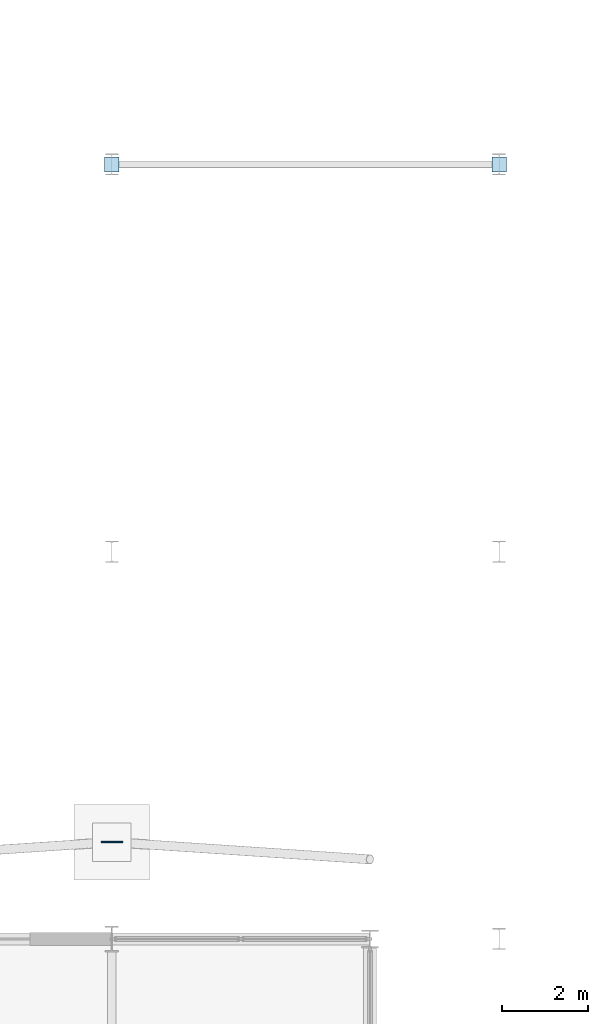
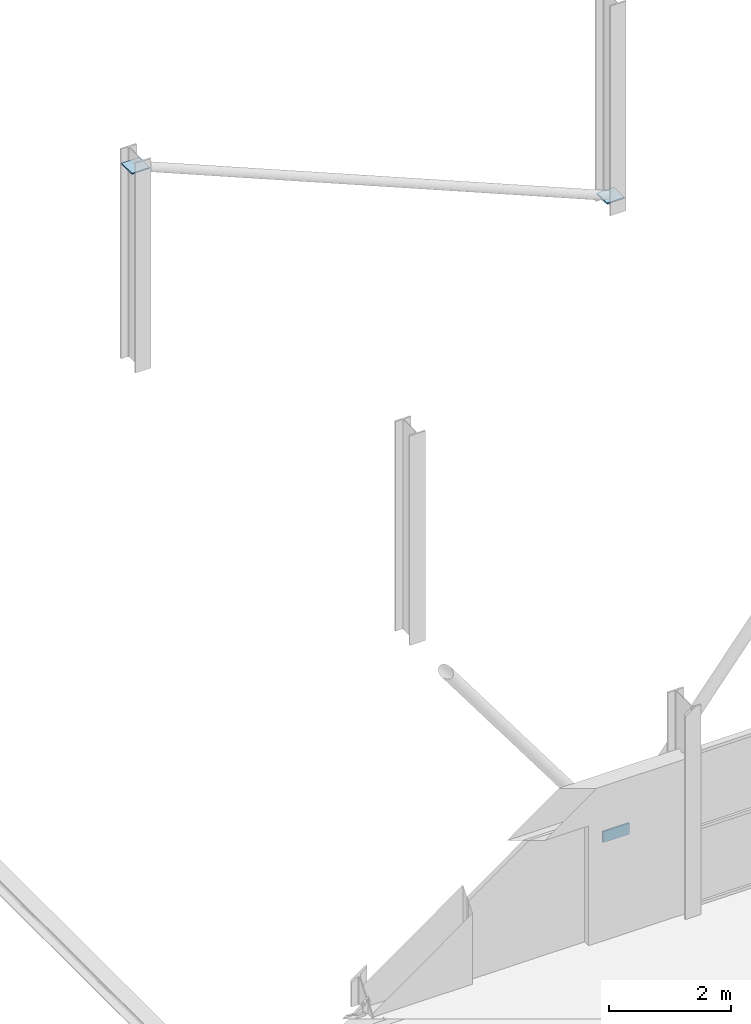
# One storey, part 111 of 140: 3 plates.
"""IFC4 building model written with IfcOpenShell, lengths in metres."""

from ifc_helpers import new_model, si_unit, direction, frame, origin, origin_2d, place, context, subcontext, project, spatial, rectangle, extrude, material, layer, layer_set, type_object, element, save


model = new_model("IFC4")

# Units and contexts
model_context = context("Model", 3, precision=1e-05, world=origin(), true_north=direction((0.0, 1.0)))
body_context = subcontext(model_context, "Body", "Model", "MODEL_VIEW")
ifc_project = project(units=[si_unit("LENGTHUNIT", "METRE"), si_unit("AREAUNIT", "SQUARE_METRE"), si_unit("VOLUMEUNIT", "CUBIC_METRE"), si_unit("PLANEANGLEUNIT", "RADIAN"), si_unit("MASSUNIT", "GRAM", prefix="KILO")], contexts=[model_context])

# Site, building, storey
site_placement = place(None, origin())
site = spatial("IfcSite", under=ifc_project, at=site_placement, CompositionType="ELEMENT")
building_placement = place(site_placement, origin())
building = spatial("IfcBuilding", under=site, at=building_placement, Name="Deido Ridge Mobility Hub", CompositionType="ELEMENT")
storey_placement = place(building_placement, origin())
storey = spatial("IfcBuildingStorey", under=building, at=storey_placement, Name="L00", CompositionType="ELEMENT", Elevation=0.0)

# Plates
ifc_material = material(Name="Steel S355J2 EN 10025-2", Category="steel")
ifc_layer_1 = layer(ifc_material, 0.02197265625, Name="Steel S355J2 EN 10025-2")
ifc_layer_set_1 = layer_set([ifc_layer_1], Name="Steel S355J2 EN 10025-2")
plate_type_1 = type_object("IfcPlateType", Name="PLT-CAP-22", PredefinedType="USERDEFINED", material=ifc_layer_set_1)
for number, where, z_axis, x_axis, name in (
    (1, (63.0, 54.0, 0.18896484375), (0.0, 0.0, 1.0), (1.0, 0.0, 0.0), "Diagrid node cap plate EC2 166"),
    (2, (54.0, 54.0, 3.93896484375), (0.0, 0.0, 1.0), (1.0, 0.0, 0.0), "Diagrid node cap plate EC2 167"),
):
    element("IfcPlate", number, at=place(storey_placement, frame(where, z_axis=z_axis, x_axis=x_axis)), inside=storey, type_object=plate_type_1, Name=name, ObjectType="END CAP PLATE", PredefinedType="USERDEFINED", context=body_context, shape_type="SweptSolid", body=[
        extrude(rectangle(XDim=0.340087890625, YDim=0.340087890625, at=origin_2d()), origin(), (0.0, 0.0, 1.0), 0.02197265625),
    ])
ifc_layer_2 = layer(ifc_material, 0.031982421875, Name="Steel S355J2 EN 10025-2")
ifc_layer_set_2 = layer_set([ifc_layer_2], Name="Steel S355J2 EN 10025-2")
plate_type_2 = type_object("IfcPlateType", Name="PLT-GUS-32", PredefinedType="USERDEFINED", material=ifc_layer_set_2)
plate_placement = place(storey_placement, frame((54.0, 38.25, 0.03515625), z_axis=(0.0, 0.0, 1.0), x_axis=(1.0, 0.0, 0.0)))
element("IfcPlate", 3, at=plate_placement, inside=storey, type_object=plate_type_2, Name="Exoskeleton V-strut pedestal gusset GP4 116", ObjectType="GUSSET PLATE", PredefinedType="USERDEFINED", context=body_context, shape_type="SweptSolid", body=[
    extrude(rectangle(XDim=0.5, YDim=0.031982421875, at=origin_2d()), origin(), (0.0, 0.0, 1.0), 0.219970703125),
])

save(model, "model.ifc")
